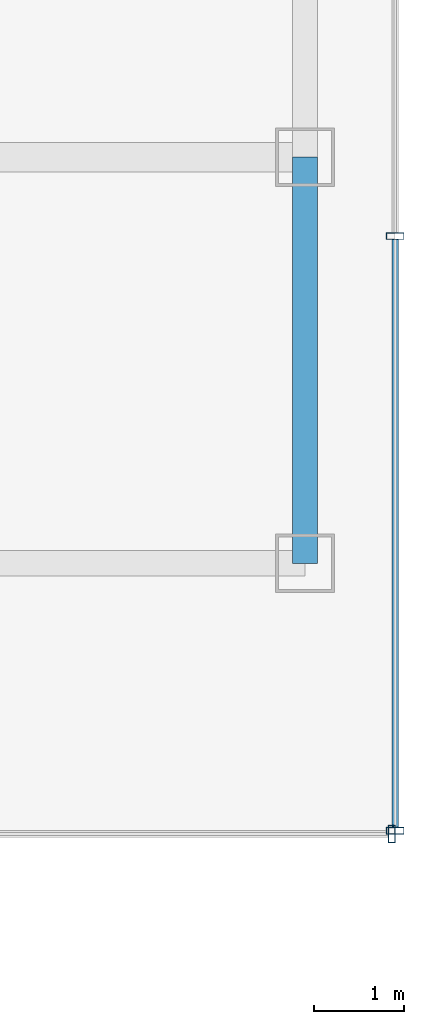
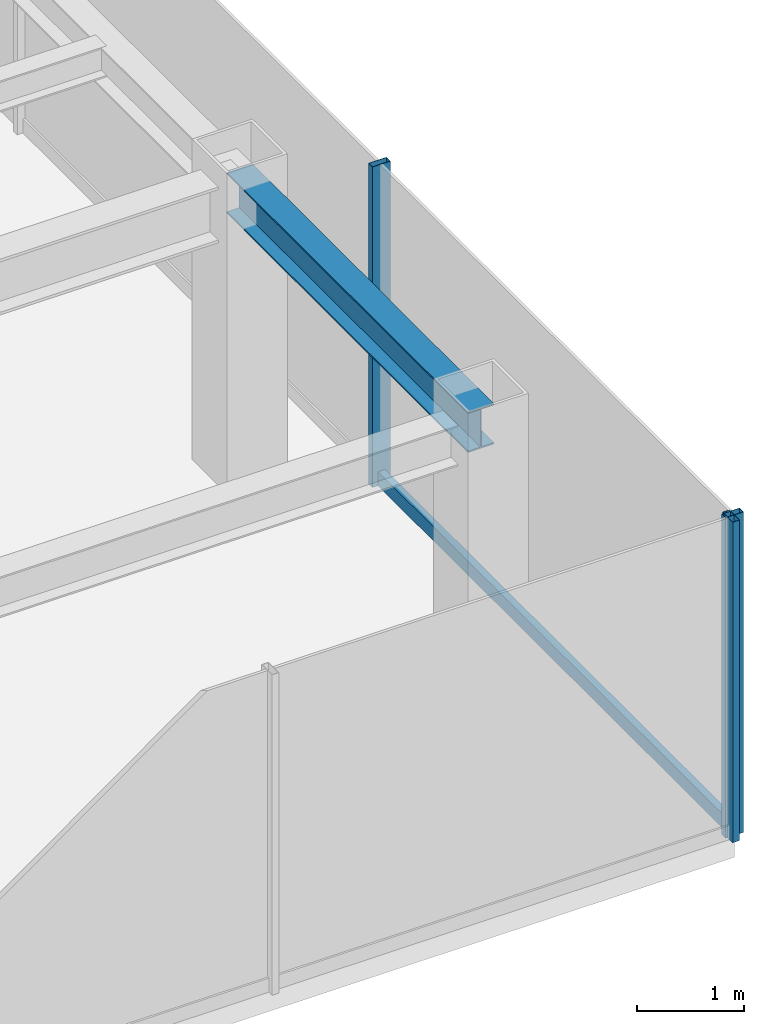
# One storey, part 11 of 25: 4 members, 1 beam, 2 elements without a shape of their own.
"""IFC4 building model written with IfcOpenShell, lengths in metres."""

from ifc_helpers import new_model, si_unit, derived_unit, direction, frame, origin, origin_2d, place, context, subcontext, project, spatial, hollow_rectangle, i_section, extrude, source, transform, mapped, material, material_profile, profile_set, type_object, element, aggregate, save


model = new_model("IFC4")

# Units and contexts
model_context = context("Model", 3, precision=1e-05, world=origin(), true_north=direction((0.0, 1.0)))
body_context = subcontext(model_context, "Body", "Model", "MODEL_VIEW")
ifc_project = project(units=[si_unit("LENGTHUNIT", "METRE"), si_unit("AREAUNIT", "SQUARE_METRE"), si_unit("VOLUMEUNIT", "CUBIC_METRE"), si_unit("PLANEANGLEUNIT", "RADIAN"), si_unit("MASSUNIT", "GRAM", prefix="KILO"), derived_unit("THERMALTRANSMITTANCEUNIT", [(si_unit("POWERUNIT", "WATT"), 1), (si_unit("LENGTHUNIT", "METRE"), -2), (si_unit("THERMODYNAMICTEMPERATUREUNIT", "KELVIN"), -1)])], contexts=[model_context])

# Site, building, storey
site_placement = place(None, origin())
site = spatial("IfcSite", under=ifc_project, at=site_placement, CompositionType="ELEMENT")
building_placement = place(site_placement, origin())
building = spatial("IfcBuilding", under=site, at=building_placement, Name="Skarnbrae Concourse Arena and Tower", CompositionType="ELEMENT")
storey_placement = place(building_placement, frame((0.0, 0.0, 144.25)))
storey = spatial("IfcBuildingStorey", under=building, at=storey_placement, Name="L36", CompositionType="ELEMENT", Elevation=144.25)

# Beam
ifc_material_1 = material(Name="Steel CSA G40.21 350W", Category="steel")
ifc_material_profile_1 = material_profile(ifc_material_1, i_section(OverallWidth=0.280029296875, OverallDepth=0.462890625, WebThickness=0.0107421875, FlangeThickness=0.017333984375, at=origin_2d()), Name="W460X113")
ifc_profile_set_1 = profile_set([ifc_material_profile_1], Name="Steel CSA G40.21 350W")
beam_type = type_object("IfcBeamType", Name="BM-SPAN-W460X113", PredefinedType="SPANDREL", material=ifc_profile_set_1)
shared_shape_1 = source(origin(), body_context, "Body", "SweptSolid", [
    extrude(i_section(OverallWidth=0.280029296875, OverallDepth=0.462890625, WebThickness=0.0107421875, FlangeThickness=0.017333984375, at=origin_2d()), origin(), (0.0, 0.0, 1.0), 4.5),
])
beam_placement = place(storey_placement, frame((49.0, 9.5, 3.16845703125), z_axis=(0.0, 1.0, 0.0), x_axis=(-1.0, 0.0, 0.0)))
element("IfcBeam", 1, at=beam_placement, inside=storey, type_object=beam_type, Name="L36 Perimeter spandrel X49.0-1", PredefinedType="SPANDREL", context=body_context, shape_type="MappedRepresentation", body=[
    mapped(shared_shape_1, transform((0.0, 0.0, 0.0))),
])

# Curtain wall, member
ifc_material_2 = material(Name="Bronze anodised aluminium 6063-T6", Category="aluminium")
curtain_wall_type = type_object("IfcCurtainWallType", Name="CW-SYS-04-MIDZONE", PredefinedType="USERDEFINED", material=ifc_material_2)
curtain_wall_1_placement = place(storey_placement, origin())
curtain_wall_1 = element("IfcCurtainWall", 2, at=curtain_wall_1_placement, inside=storey, type_object=curtain_wall_type, Name="L36 Unitised curtain wall CW-L36-E03", ObjectType="UNITISED CURTAIN WALL", PredefinedType="USERDEFINED")
ifc_material_profile_2 = material_profile(ifc_material_2, hollow_rectangle(XDim=0.074951171875, YDim=0.195068359375, WallThickness=0.00439453125, at=origin_2d()), Name="ALU-MULL-75X195")
ifc_profile_set_2 = profile_set([ifc_material_profile_2], Name="Bronze anodised aluminium 6063-T6")
member_type_1 = type_object("IfcMemberType", Name="CWM-CW-04", PredefinedType="MULLION", material=ifc_profile_set_2)
shared_shape_2 = source(origin(), body_context, "Body", "SweptSolid", [
    extrude(hollow_rectangle(XDim=0.074951171875, YDim=0.195068359375, WallThickness=0.00439453125, at=origin_2d()), origin(), (0.0, 0.0, 1.0), 3.64990234375),
])
member_1_placement = place(storey_placement, frame((49.96240234375, 6.5, 0.0), z_axis=(0.0, 0.0, 1.0), x_axis=(1.0, 0.0, 0.0)))
member_1 = element("IfcMember", 3, at=member_1_placement, type_object=member_type_1, Name="CW-L36-E03 Mullion 3", PredefinedType="MULLION", context=body_context, shape_type="MappedRepresentation", body=[
    mapped(shared_shape_2, transform((0.0, 0.0, 0.0))),
])
aggregate(curtain_wall_1, [member_1])

# Curtain wall, members
curtain_wall_2_placement = place(storey_placement, origin())
curtain_wall_2 = element("IfcCurtainWall", 4, at=curtain_wall_2_placement, inside=storey, type_object=curtain_wall_type, Name="L36 Unitised curtain wall CW-L36-E04", ObjectType="UNITISED CURTAIN WALL", PredefinedType="USERDEFINED")
member_2_placement = place(storey_placement, frame((50.0, 6.53759765625, 0.0), z_axis=(0.0, 0.0, 1.0), x_axis=(0.0, 1.0, 0.0)))
member_2 = element("IfcMember", 5, at=member_2_placement, type_object=member_type_1, Name="CW-L36-E04 Mullion 1", PredefinedType="MULLION", context=body_context, shape_type="MappedRepresentation", body=[
    mapped(shared_shape_2, transform((0.0, 0.0, 0.0))),
])
member_3_placement = place(storey_placement, frame((50.0, 13.125, 0.0), z_axis=(0.0, 0.0, 1.0), x_axis=(0.0, 1.0, 0.0)))
member_3 = element("IfcMember", 6, at=member_3_placement, type_object=member_type_1, Name="CW-L36-E04 Mullion 2", PredefinedType="MULLION", context=body_context, shape_type="MappedRepresentation", body=[
    mapped(shared_shape_2, transform((0.0, 0.0, 0.0))),
])
ifc_material_profile_3 = material_profile(ifc_material_2, hollow_rectangle(XDim=0.074951171875, YDim=0.159912109375, WallThickness=0.00439453125, at=origin_2d()), Name="ALU-TRAN-75X160")
ifc_profile_set_3 = profile_set([ifc_material_profile_3], Name="Bronze anodised aluminium 6063-T6")
member_type_2 = type_object("IfcMemberType", Name="CWT-CW-04", PredefinedType="USERDEFINED", material=ifc_profile_set_3)
shared_shape_3 = source(origin(), body_context, "Body", "SweptSolid", [
    extrude(hollow_rectangle(XDim=0.074951171875, YDim=0.159912109375, WallThickness=0.00439453125, at=origin_2d()), origin(), (0.0, 0.0, 1.0), 6.512451171875),
])
member_4_placement = place(storey_placement, frame((50.0, 6.574951171875, 0.080078125), z_axis=(0.0, 1.0, 0.0), x_axis=(-1.0, 0.0, 0.0)))
member_4 = element("IfcMember", 7, at=member_4_placement, type_object=member_type_2, Name="CW-L36-E04 Transom 1", ObjectType="TRANSOM", PredefinedType="USERDEFINED", context=body_context, shape_type="MappedRepresentation", body=[
    mapped(shared_shape_3, transform((0.0, 0.0, 0.0))),
])
aggregate(curtain_wall_2, [member_2, member_3, member_4])

save(model, "model.ifc")
